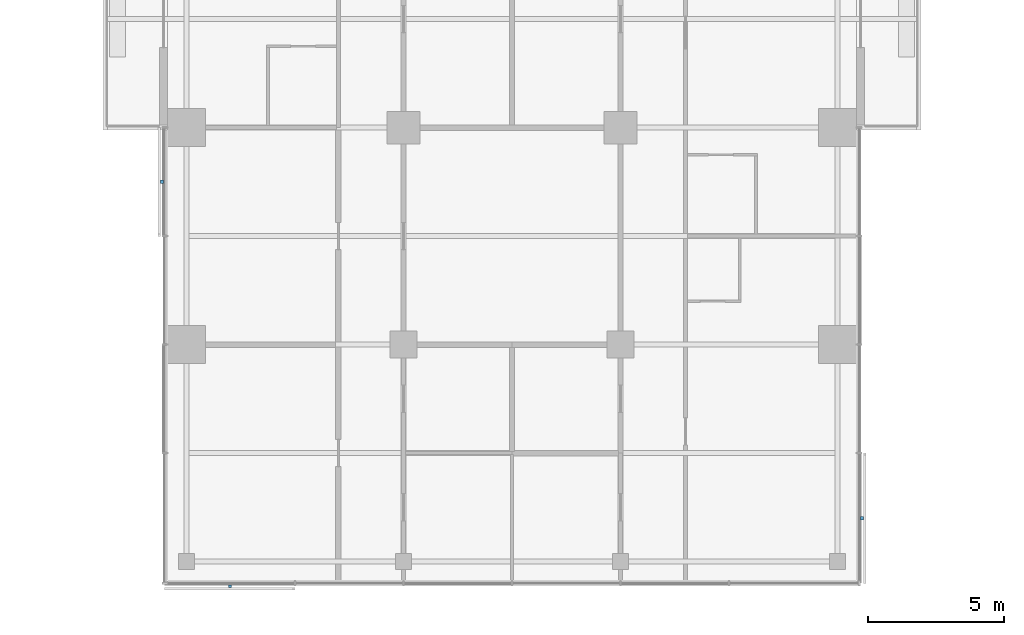
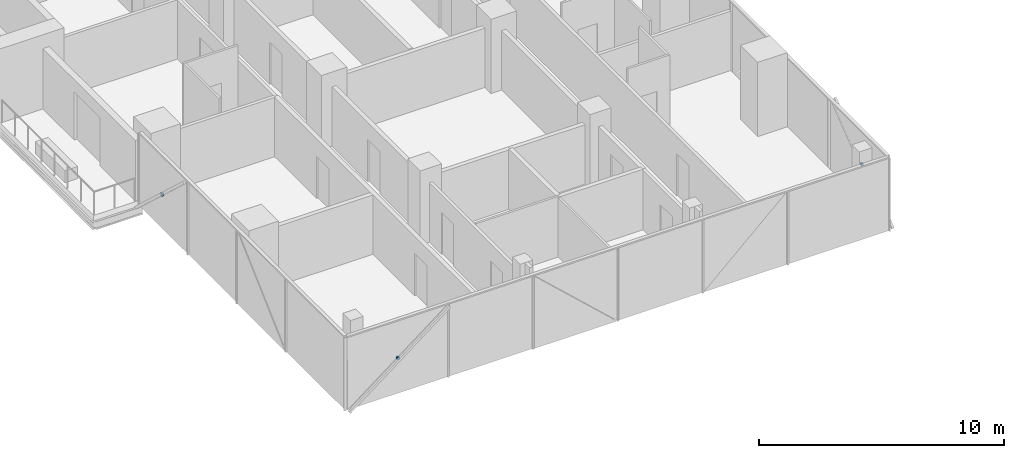
# One storey, part 23 of 27: 3 discrete accessories.
"""IFC4 building model written with IfcOpenShell, lengths in metres."""

from ifc_helpers import new_model, si_unit, direction, frame, origin, origin_2d, place, context, subcontext, project, spatial, rectangle, extrude, material, type_object, element, save


model = new_model("IFC4")

# Units and contexts
model_context = context("Model", 3, precision=1e-05, world=origin(), true_north=direction((0.0, 1.0)))
body_context = subcontext(model_context, "Body", "Model", "MODEL_VIEW")
ifc_project = project(units=[si_unit("LENGTHUNIT", "METRE"), si_unit("AREAUNIT", "SQUARE_METRE"), si_unit("VOLUMEUNIT", "CUBIC_METRE"), si_unit("PLANEANGLEUNIT", "RADIAN"), si_unit("MASSUNIT", "GRAM", prefix="KILO")], contexts=[model_context])

# Site, building, storey
site_placement = place(None, origin())
site = spatial("IfcSite", under=ifc_project, at=site_placement, CompositionType="ELEMENT")
building_placement = place(site_placement, origin())
building = spatial("IfcBuilding", under=site, at=building_placement, Name="Crosswind Convention Tower", CompositionType="ELEMENT")
storey_placement = place(building_placement, frame((0.0, 0.0, 94.199951171875)))
storey = spatial("IfcBuildingStorey", under=building, at=storey_placement, Name="L18", CompositionType="ELEMENT", Elevation=94.199951171875)

# Discrete accessories
ifc_material = material(Name="Stainless steel", Category="steel")
discrete_accessory_type = type_object("IfcDiscreteAccessoryType", Name="BAGUETTE BRACKET BK2", PredefinedType="BRACKET", material=ifc_material)
for number, where, z_axis, x_axis, name in (
    (1, (112.092041015625, 78.0, 1.4775390625), (0.0, 0.0, 1.0), (0.0, -1.0, 0.0), "BK2 baguette bracket"),
    (2, (114.60009765625, 63.092041015625, 1.4775390625), (0.0, 0.0, 1.0), (1.0, 0.0, 0.0), "BK2 baguette bracket"),
    (3, (137.907958984375, 65.60009765625, 1.4775390625), (0.0, 0.0, 1.0), (0.0, 1.0, 0.0), "BK2 baguette bracket"),
):
    element("IfcDiscreteAccessory", number, at=place(storey_placement, frame(where, z_axis=z_axis, x_axis=x_axis)), inside=storey, type_object=discrete_accessory_type, Name=name, PredefinedType="BRACKET", context=body_context, shape_type="SweptSolid", body=[
        extrude(rectangle(XDim=0.1201171875, YDim=0.10009765625, at=origin_2d()), origin(), (0.0, 0.0, 1.0), 0.1201171875),
    ])

save(model, "model.ifc")
